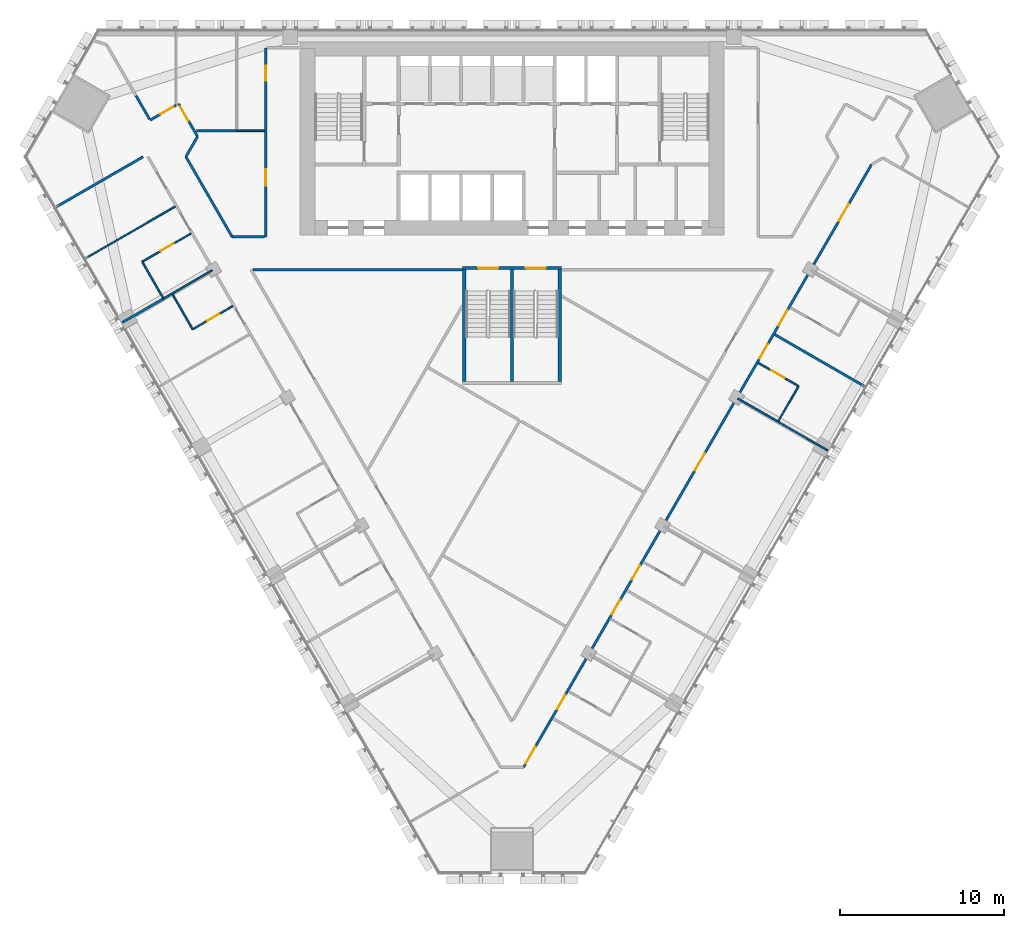
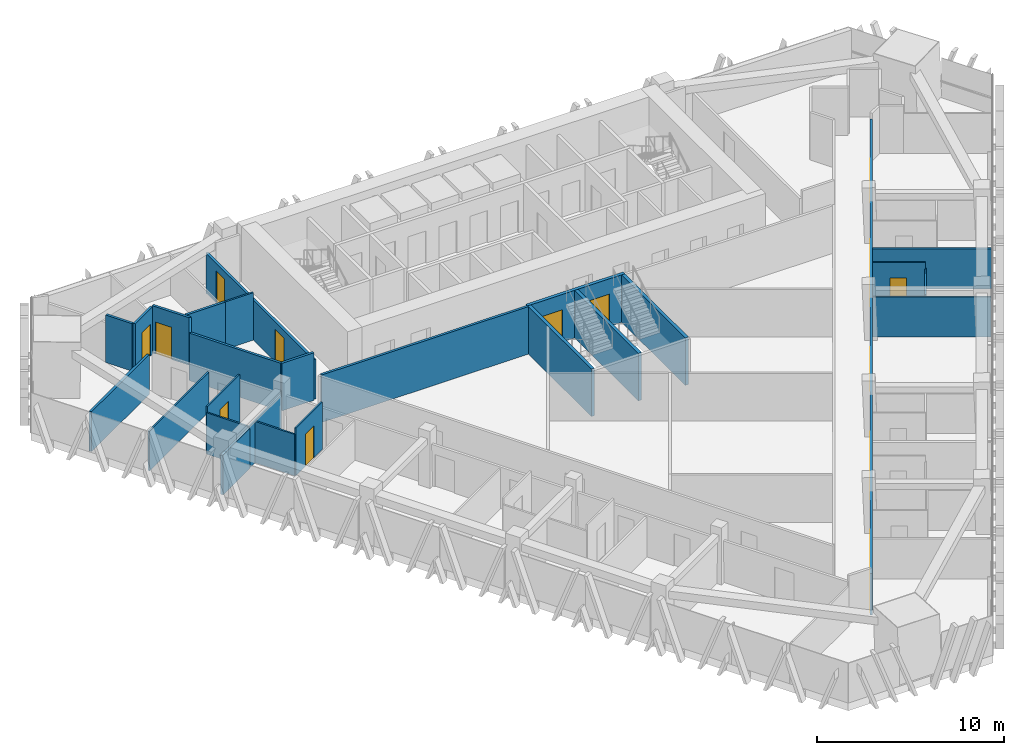
# One storey, part 10 of 16: 27 walls, 17 doors, 17 openings.
"""IFC4 building model written with IfcOpenShell, lengths in metres."""

from ifc_helpers import new_model, si_unit, direction, frame, frame_2d, origin, place, context, subcontext, project, spatial, rectangle, extrude, material, layer, layer_set, type_object, element, fill, save


model = new_model("IFC4")

# Units and contexts
model_context = context("Model", 3, precision=1e-05, world=origin(), true_north=direction((0.0, 1.0)))
body_context = subcontext(model_context, "Body", "Model", "MODEL_VIEW")
ifc_project = project(units=[si_unit("LENGTHUNIT", "METRE"), si_unit("AREAUNIT", "SQUARE_METRE"), si_unit("VOLUMEUNIT", "CUBIC_METRE"), si_unit("PLANEANGLEUNIT", "RADIAN"), si_unit("MASSUNIT", "GRAM", prefix="KILO")], contexts=[model_context])

# Site, building, storey
site_placement = place(None, origin())
site = spatial("IfcSite", under=ifc_project, at=site_placement, CompositionType="ELEMENT")
building_placement = place(site_placement, origin())
building = spatial("IfcBuilding", under=site, at=building_placement, Name="Altiplano Prism Tower", CompositionType="ELEMENT")
storey_placement = place(building_placement, frame((0.0, 0.0, 77.39990234375)))
storey = spatial("IfcBuildingStorey", under=building, at=storey_placement, Name="L19", CompositionType="ELEMENT", Elevation=77.39990234375)

# Wall
ifc_material_1 = material(Name="Plasterboard on steel stud", Category="steel")
ifc_layer_1 = layer(ifc_material_1, 0.10009765625)
ifc_layer_set_1 = layer_set([ifc_layer_1], Name="Plasterboard on steel stud")
wall_type_1 = type_object("IfcWallType", Name="Partition 100 unit", PredefinedType="PARTITIONING", material=ifc_layer_set_1)
wall_1_placement = place(storey_placement, frame((63.743896484375, 88.696044921875, 0.0), z_axis=(0.0, 0.0, 1.0), x_axis=(-0.50001820224, 0.866014894461, 0.0)))
element("IfcWall", 1, at=wall_1_placement, inside=storey, type_object=wall_type_1, Name="Partition P02 L19 040", PredefinedType="PARTITIONING", context=body_context, shape_type="SweptSolid", body=[
    extrude(rectangle(XDim=2.52490234375, YDim=0.10009765625, at=frame_2d((1.262451171875, 0.0))), origin(), (0.0, 0.0, 1.0), 2.7001953125),
])

# Wall, opening, door
wall_2_placement = place(storey_placement, frame((62.4814453125, 90.882568359375, 0.0), z_axis=(0.0, 0.0, 1.0), x_axis=(0.866001587311, 0.500041249073, 0.0)))
wall_2 = element("IfcWall", 2, at=wall_2_placement, inside=storey, type_object=wall_type_1, Name="Partition P02 L19 041", PredefinedType="PARTITIONING", context=body_context, shape_type="SweptSolid", body=[
    extrude(rectangle(XDim=3.425048828125, YDim=0.10009765625, at=frame_2d((1.71240234375, 0.0))), origin(), (0.0, 0.0, 1.0), 3.10009765625),
])
opening_1_placement = place(wall_2_placement, frame((1.297119140625, 0.0, 0.0)))
opening_1 = element("IfcOpeningElement", 3, at=opening_1_placement, cuts=wall_2, Name="Opening D0724", PredefinedType="OPENING", context=body_context, shape_type="SweptSolid", body=[
    extrude(rectangle(XDim=0.89990234375, YDim=2.10009765625, at=frame_2d((0.449951171875, 1.050048828125))), frame((0.0, 0.060546875, 0.0), z_axis=(0.0, -1.0, 0.0), x_axis=(1.0, 0.0, 0.0)), (0.0, 0.0, 1.0), 0.12109375),
])
ifc_material_2 = material(Name="Timber", Category="wood")
door_type_1 = type_object("IfcDoorType", Name="Accessible ensuite door 900 x 2100", OperationType="NOTDEFINED", PredefinedType="NOTDEFINED", material=ifc_material_2)
door_1_placement = place(opening_1_placement, origin())
door_1 = element("IfcDoor", 4, at=door_1_placement, inside=storey, type_object=door_type_1, Name="Door D0724", OperationType="SINGLE_SWING_RIGHT", OverallHeight=2.10009765625, OverallWidth=0.89990234375, PredefinedType="NOTDEFINED", context=body_context, shape_type="SweptSolid", body=[
    extrude(rectangle(XDim=0.89990234375, YDim=2.10009765625, at=frame_2d((0.449951171875, 1.050048828125))), frame((0.0, 0.02490234375, 0.0), z_axis=(0.0, -1.0, 0.0), x_axis=(1.0, 0.0, 0.0)), (0.0, 0.0, 1.0), 0.050048828125),
])
fill(opening_1, door_1)

wall_3_placement = place(storey_placement, frame((67.99755859375, 88.178466796875, 0.0), z_axis=(0.0, 0.0, 1.0), x_axis=(-0.866011447264, -0.500024172624, 0.0)))
wall_3 = element("IfcWall", 5, at=wall_3_placement, inside=storey, type_object=wall_type_1, Name="Partition P02 L19 044", PredefinedType="PARTITIONING", context=body_context, shape_type="SweptSolid", body=[
    extrude(rectangle(XDim=2.824951171875, YDim=0.10009765625, at=frame_2d((1.41259765625, 0.0))), origin(), (0.0, 0.0, 1.0), 3.10009765625),
])
opening_2_placement = place(wall_3_placement, frame((0.923095703125, 0.0, 0.0)))
opening_2 = element("IfcOpeningElement", 6, at=opening_2_placement, cuts=wall_3, Name="Opening D0726", PredefinedType="OPENING", context=body_context, shape_type="SweptSolid", body=[
    extrude(rectangle(XDim=0.89990234375, YDim=2.10009765625, at=frame_2d((0.449951171875, 1.050048828125))), frame((0.0, 0.060546875, 0.0), z_axis=(0.0, -1.0, 0.0), x_axis=(1.0, 0.0, 0.0)), (0.0, 0.0, 1.0), 0.12109375),
])
door_type_2 = type_object("IfcDoorType", Name="Ensuite door 900 x 2100", OperationType="NOTDEFINED", PredefinedType="NOTDEFINED", material=ifc_material_2)
door_2_placement = place(opening_2_placement, origin())
door_2 = element("IfcDoor", 7, at=door_2_placement, inside=storey, type_object=door_type_2, Name="Door D0726", OperationType="SINGLE_SWING_LEFT", OverallHeight=2.10009765625, OverallWidth=0.89990234375, PredefinedType="NOTDEFINED", context=body_context, shape_type="SweptSolid", body=[
    extrude(rectangle(XDim=0.89990234375, YDim=2.10009765625, at=frame_2d((0.449951171875, 1.050048828125))), frame((0.0, 0.02490234375, 0.0), z_axis=(0.0, -1.0, 0.0), x_axis=(1.0, 0.0, 0.0)), (0.0, 0.0, 1.0), 0.050048828125),
])
fill(opening_2, door_2)

# Wall
wall_4_placement = place(storey_placement, frame((65.551025390625, 86.765869140625, 0.0), z_axis=(0.0, 0.0, 1.0), x_axis=(-0.499980840684, 0.866036465138, 0.0)))
element("IfcWall", 8, at=wall_4_placement, inside=storey, type_object=wall_type_1, Name="Partition P02 L19 045", PredefinedType="PARTITIONING", context=body_context, shape_type="SweptSolid", body=[
    extrude(rectangle(XDim=2.45361328125, YDim=0.10009765625, at=frame_2d((1.226806640625, 0.0))), origin(), (0.0, 0.0, 1.0), 2.7001953125),
])

# Wall, opening, door
wall_5_placement = place(storey_placement, frame((100.00244140625, 84.71435546875, 0.0), z_axis=(0.0, 0.0, 1.0), x_axis=(0.866011447264, -0.500024172624, 0.0)))
wall_5 = element("IfcWall", 9, at=wall_5_placement, inside=storey, type_object=wall_type_1, Name="Partition P02 L19 069", PredefinedType="PARTITIONING", context=body_context, shape_type="SweptSolid", body=[
    extrude(rectangle(XDim=2.824951171875, YDim=0.10009765625, at=frame_2d((1.41259765625, 0.0))), origin(), (0.0, 0.0, 1.0), 3.10009765625),
])
opening_3_placement = place(wall_5_placement, frame((0.925048828125, 0.0, 0.0)))
opening_3 = element("IfcOpeningElement", 10, at=opening_3_placement, cuts=wall_5, Name="Opening D0743", PredefinedType="OPENING", context=body_context, shape_type="SweptSolid", body=[
    extrude(rectangle(XDim=0.89990234375, YDim=2.10009765625, at=frame_2d((0.449951171875, 1.050048828125))), frame((0.0, 0.060546875, 0.0), z_axis=(0.0, -1.0, 0.0), x_axis=(1.0, 0.0, 0.0)), (0.0, 0.0, 1.0), 0.12109375),
])
door_3_placement = place(opening_3_placement, origin())
door_3 = element("IfcDoor", 11, at=door_3_placement, inside=storey, type_object=door_type_2, Name="Door D0743", OperationType="SINGLE_SWING_LEFT", OverallHeight=2.10009765625, OverallWidth=0.89990234375, PredefinedType="NOTDEFINED", context=body_context, shape_type="SweptSolid", body=[
    extrude(rectangle(XDim=0.89990234375, YDim=2.10009765625, at=frame_2d((0.449951171875, 1.050048828125))), frame((0.0, 0.02490234375, 0.0), z_axis=(0.0, -1.0, 0.0), x_axis=(1.0, 0.0, 0.0)), (0.0, 0.0, 1.0), 0.050048828125),
])
fill(opening_3, door_3)

# Walls
wall_6_placement = place(storey_placement, frame((102.448974609375, 83.3017578125, 0.0), z_axis=(0.0, 0.0, 1.0), x_axis=(-0.500061746146, -0.865989751695, 0.0)))
element("IfcWall", 12, at=wall_6_placement, inside=storey, type_object=wall_type_1, Name="Partition P02 L19 070", PredefinedType="PARTITIONING", context=body_context, shape_type="SweptSolid", body=[
    extrude(rectangle(XDim=2.449951171875, YDim=0.10009765625, at=frame_2d((1.22509765625, 0.0))), origin(), (0.0, 0.0, 1.0), 2.7001953125),
])
ifc_layer_2 = layer(ifc_material_1, 0.10009765625)
ifc_layer_set_2 = layer_set([ifc_layer_2], Name="Plasterboard on steel stud")
wall_type_2 = type_object("IfcWallType", Name="Partition 100 wet", PredefinedType="PARTITIONING", material=ifc_layer_set_2)
wall_7_placement = place(storey_placement, frame((68.215087890625, 98.85546875, 0.0), z_axis=(0.0, 0.0, 1.0), x_axis=(1.0, 0.0, 0.0)))
element("IfcWall", 13, at=wall_7_placement, inside=storey, type_object=wall_type_2, Name="Partition P03 L19 033", PredefinedType="PARTITIONING", context=body_context, shape_type="SweptSolid", body=[
    extrude(rectangle(XDim=1.7099609375, YDim=0.10009765625, at=frame_2d((0.85498046875, 0.0))), origin(), (0.0, 0.0, 1.0), 3.10009765625),
])
wall_8_placement = place(storey_placement, frame((59.00244140625, 91.068115234375, 0.0), z_axis=(0.0, 0.0, 1.0), x_axis=(0.866025401434, 0.500000004071, 0.0)))
element("IfcWall", 14, at=wall_8_placement, inside=storey, type_object=wall_type_2, Name="Partition P03 L19 039", PredefinedType="PARTITIONING", context=body_context, shape_type="SweptSolid", body=[
    extrude(rectangle(XDim=6.34521484375, YDim=0.10009765625, at=frame_2d((3.172607421875, 0.0))), origin(), (0.0, 0.0, 1.0), 2.60009765625),
])
wall_9_placement = place(storey_placement, frame((63.76416015625, 88.62109375, 0.0), z_axis=(0.0, 0.0, 1.0), x_axis=(0.862916476412, 0.505346568938, 0.0)))
element("IfcWall", 15, at=wall_9_placement, inside=storey, type_object=wall_type_2, Name="Partition P03 L19 043", PredefinedType="PARTITIONING", context=body_context, shape_type="SweptSolid", body=[
    extrude(rectangle(XDim=3.444580078125, YDim=0.10009765625, at=frame_2d((1.72216796875, 0.0))), origin(), (0.0, 0.0, 1.0), 2.7001953125),
])
wall_10_placement = place(storey_placement, frame((104.22998046875, 79.38671875, 0.0), z_axis=(0.0, 0.0, 1.0), x_axis=(-0.866015887322, 0.500016482634, 0.0)))
element("IfcWall", 16, at=wall_10_placement, inside=storey, type_object=wall_type_2, Name="Partition P03 L19 068", PredefinedType="PARTITIONING", context=body_context, shape_type="SweptSolid", body=[
    extrude(rectangle(XDim=6.324951171875, YDim=0.10009765625, at=frame_2d((3.16259765625, 0.0))), origin(), (0.0, 0.0, 1.0), 2.60009765625),
])

# Wall, opening, door
ifc_layer_3 = layer(ifc_material_1, 0.14990234375)
ifc_layer_set_3 = layer_set([ifc_layer_3], Name="Plasterboard on steel stud")
wall_type_3 = type_object("IfcWallType", Name="Partition 150 corridor", PredefinedType="PARTITIONING", material=ifc_layer_set_3)
wall_11_placement = place(storey_placement, frame((64.5478515625, 100.415283203125, 0.0), z_axis=(0.0, 0.0, 1.0), x_axis=(-0.865742965541, -0.500488878614, 0.0)))
wall_11 = element("IfcWall", 17, at=wall_11_placement, inside=storey, type_object=wall_type_3, Name="Partition P06 L19 003", PredefinedType="PARTITIONING", context=body_context, shape_type="SweptSolid", body=[
    extrude(rectangle(XDim=1.828857421875, YDim=0.14990234375, at=frame_2d((0.91455078125, 0.0))), origin(), (0.0, 0.0, 1.0), 3.10009765625),
])
opening_4_placement = place(wall_11_placement, frame((0.199951171875, 0.0, 0.0)))
opening_4 = element("IfcOpeningElement", 18, at=opening_4_placement, cuts=wall_11, Name="Opening D0719", PredefinedType="OPENING", context=body_context, shape_type="SweptSolid", body=[
    extrude(rectangle(XDim=0.89990234375, YDim=2.10009765625, at=frame_2d((0.449951171875, 1.050048828125))), frame((0.0, 0.08544921875, 0.0), z_axis=(0.0, -1.0, 0.0), x_axis=(1.0, 0.0, 0.0)), (0.0, 0.0, 1.0), 0.1708984375),
])
door_type_3 = type_object("IfcDoorType", Name="Toilet door 900 x 2100", OperationType="NOTDEFINED", PredefinedType="NOTDEFINED", material=ifc_material_2)
door_4_placement = place(opening_4_placement, origin())
door_4 = element("IfcDoor", 19, at=door_4_placement, inside=storey, type_object=door_type_3, Name="Door D0719", OperationType="SINGLE_SWING_RIGHT", OverallHeight=2.10009765625, OverallWidth=0.89990234375, PredefinedType="NOTDEFINED", context=body_context, shape_type="SweptSolid", body=[
    extrude(rectangle(XDim=0.89990234375, YDim=2.10009765625, at=frame_2d((0.449951171875, 1.050048828125))), frame((0.0, 0.02490234375, 0.0), z_axis=(0.0, -1.0, 0.0), x_axis=(1.0, 0.0, 0.0)), (0.0, 0.0, 1.0), 0.050048828125),
])
fill(opening_4, door_4)

# Wall
wall_12_placement = place(storey_placement, frame((62.927001953125, 99.56494140625, 0.0), z_axis=(0.0, 0.0, 1.0), x_axis=(-0.50001794124, 0.866015045157, 0.0)))
element("IfcWall", 20, at=wall_12_placement, inside=storey, type_object=wall_type_3, Name="Partition P06 L19 004", PredefinedType="PARTITIONING", context=body_context, shape_type="SweptSolid", body=[
    extrude(rectangle(XDim=1.64501953125, YDim=0.14990234375, at=frame_2d((0.822509765625, 0.0))), origin(), (0.0, 0.0, 1.0), 3.10009765625),
])

# Wall, opening, door
wall_13_placement = place(storey_placement, frame((65.851318359375, 98.5, 0.0), z_axis=(0.0, 0.0, 1.0), x_axis=(-0.500027479704, 0.866009537788, 0.0)))
wall_13 = element("IfcWall", 21, at=wall_13_placement, inside=storey, type_object=wall_type_3, Name="Partition P06 L19 005", PredefinedType="PARTITIONING", context=body_context, shape_type="SweptSolid", body=[
    extrude(rectangle(XDim=2.309326171875, YDim=0.14990234375, at=frame_2d((1.15478515625, 0.0))), origin(), (0.0, 0.0, 1.0), 3.10009765625),
])
opening_5_placement = place(wall_13_placement, frame((1.10888671875, 0.0, 0.0)))
opening_5 = element("IfcOpeningElement", 22, at=opening_5_placement, cuts=wall_13, Name="Opening D0720", PredefinedType="OPENING", context=body_context, shape_type="SweptSolid", body=[
    extrude(rectangle(XDim=1.0, YDim=2.10009765625, at=frame_2d((0.5, 1.050048828125))), frame((0.0, 0.08544921875, 0.0), z_axis=(0.0, -1.0, 0.0), x_axis=(1.0, 0.0, 0.0)), (0.0, 0.0, 1.0), 0.1708984375),
])
door_type_4 = type_object("IfcDoorType", Name="Store door 1000 x 2100", OperationType="NOTDEFINED", PredefinedType="NOTDEFINED", material=ifc_material_2)
door_5_placement = place(opening_5_placement, origin())
door_5 = element("IfcDoor", 23, at=door_5_placement, inside=storey, type_object=door_type_4, Name="Door D0720", OperationType="SINGLE_SWING_LEFT", OverallHeight=2.10009765625, OverallWidth=1.0, PredefinedType="NOTDEFINED", context=body_context, shape_type="SweptSolid", body=[
    extrude(rectangle(XDim=1.0, YDim=2.10009765625, at=frame_2d((0.5, 1.050048828125))), frame((0.0, 0.02490234375, 0.0), z_axis=(0.0, -1.0, 0.0), x_axis=(1.0, 0.0, 0.0)), (0.0, 0.0, 1.0), 0.050048828125),
])
fill(opening_5, door_5)

# Wall, openings, doors
wall_14_placement = place(storey_placement, frame((70.0, 103.89990234375, 0.0), z_axis=(0.0, 0.0, 1.0), x_axis=(0.0, -1.0, 0.0)))
wall_14 = element("IfcWall", 24, at=wall_14_placement, inside=storey, type_object=wall_type_3, Name="Partition P06 L19 006", PredefinedType="PARTITIONING", context=body_context, shape_type="SweptSolid", body=[
    extrude(rectangle(XDim=11.5, YDim=0.14990234375, at=frame_2d((5.75, 0.0))), origin(), (0.0, 0.0, 1.0), 2.60009765625),
])
opening_6_placement = place(wall_14_placement, frame((1.096923828125, 0.0, 0.0)))
opening_6 = element("IfcOpeningElement", 25, at=opening_6_placement, cuts=wall_14, Name="Opening D0718", PredefinedType="OPENING", context=body_context, shape_type="SweptSolid", body=[
    extrude(rectangle(XDim=0.89990234375, YDim=2.10009765625, at=frame_2d((0.449951171875, 1.050048828125))), frame((0.0, 0.08544921875, 0.0), z_axis=(0.0, -1.0, 0.0), x_axis=(1.0, 0.0, 0.0)), (0.0, 0.0, 1.0), 0.1708984375),
])
opening_7_placement = place(wall_14_placement, frame((7.384033203125, 0.0, 0.0)))
opening_7 = element("IfcOpeningElement", 26, at=opening_7_placement, cuts=wall_14, Name="Opening D0721", PredefinedType="OPENING", context=body_context, shape_type="SweptSolid", body=[
    extrude(rectangle(XDim=1.0, YDim=2.10009765625, at=frame_2d((0.5, 1.050048828125))), frame((0.0, 0.08544921875, 0.0), z_axis=(0.0, -1.0, 0.0), x_axis=(1.0, 0.0, 0.0)), (0.0, 0.0, 1.0), 0.1708984375),
])
door_6_placement = place(opening_7_placement, origin())
door_6 = element("IfcDoor", 27, at=door_6_placement, inside=storey, type_object=door_type_4, Name="Door D0721", OperationType="SINGLE_SWING_RIGHT", OverallHeight=2.10009765625, OverallWidth=1.0, PredefinedType="NOTDEFINED", context=body_context, shape_type="SweptSolid", body=[
    extrude(rectangle(XDim=1.0, YDim=2.10009765625, at=frame_2d((0.5, 1.050048828125))), frame((0.0, 0.02490234375, 0.0), z_axis=(0.0, -1.0, 0.0), x_axis=(1.0, 0.0, 0.0)), (0.0, 0.0, 1.0), 0.050048828125),
])
fill(opening_7, door_6)
door_7_placement = place(opening_6_placement, origin())
door_7 = element("IfcDoor", 28, at=door_7_placement, inside=storey, type_object=door_type_3, Name="Door D0718", OperationType="SINGLE_SWING_LEFT", OverallHeight=2.10009765625, OverallWidth=0.89990234375, PredefinedType="NOTDEFINED", context=body_context, shape_type="SweptSolid", body=[
    extrude(rectangle(XDim=0.89990234375, YDim=2.10009765625, at=frame_2d((0.449951171875, 1.050048828125))), frame((0.0, 0.02490234375, 0.0), z_axis=(0.0, -1.0, 0.0), x_axis=(1.0, 0.0, 0.0)), (0.0, 0.0, 1.0), 0.050048828125),
])
fill(opening_6, door_7)

# Walls
wall_15_placement = place(storey_placement, frame((69.925048828125, 92.39990234375, 0.0), z_axis=(0.0, 0.0, 1.0), x_axis=(-1.0, 0.0, 0.0)))
element("IfcWall", 29, at=wall_15_placement, inside=storey, type_object=wall_type_3, Name="Partition P06 L19 007", PredefinedType="PARTITIONING", context=body_context, shape_type="SweptSolid", body=[
    extrude(rectangle(XDim=1.96875, YDim=0.14990234375, at=frame_2d((0.984375, 0.0))), origin(), (0.0, 0.0, 1.0), 3.10009765625),
])
wall_16_placement = place(storey_placement, frame((67.956298828125, 92.39990234375, 0.0), z_axis=(0.0, 0.0, 1.0), x_axis=(-0.500002884005, 0.866023738697, 0.0)))
element("IfcWall", 30, at=wall_16_placement, inside=storey, type_object=wall_type_3, Name="Partition P06 L19 008", PredefinedType="PARTITIONING", context=body_context, shape_type="SweptSolid", body=[
    extrude(rectangle(XDim=5.626953125, YDim=0.14990234375, at=frame_2d((2.8134765625, 0.0))), origin(), (0.0, 0.0, 1.0), 3.10009765625),
])
wall_17_placement = place(storey_placement, frame((65.142822265625, 97.27294921875, 0.0), z_axis=(0.0, 0.0, 1.0), x_axis=(0.500030697692, 0.866007679738, 0.0)))
element("IfcWall", 31, at=wall_17_placement, inside=storey, type_object=wall_type_3, Name="Partition P06 L19 009", PredefinedType="PARTITIONING", context=body_context, shape_type="SweptSolid", body=[
    extrude(rectangle(XDim=1.4169921875, YDim=0.14990234375, at=frame_2d((0.70849609375, 0.0))), origin(), (0.0, 0.0, 1.0), 3.10009765625),
])

# Wall, openings, doors
wall_18_placement = place(storey_placement, frame((85.70849609375, 60.1064453125, 0.0), z_axis=(0.0, 0.0, 1.0), x_axis=(0.500000789788, 0.8660249478, 0.0)))
wall_18 = element("IfcWall", 32, at=wall_18_placement, inside=storey, type_object=wall_type_3, Name="Partition P06 L19 012", PredefinedType="PARTITIONING", context=body_context, shape_type="SweptSolid", body=[
    extrude(rectangle(XDim=42.36767578125, YDim=0.14990234375, at=frame_2d((21.183837890625, 0.0))), origin(), (0.0, 0.0, 1.0), 2.7001953125),
])
opening_8_placement = place(wall_18_placement, frame((0.23291015625, 0.0, 0.0)))
opening_8 = element("IfcOpeningElement", 33, at=opening_8_placement, cuts=wall_18, Name="Opening D0734", PredefinedType="OPENING", context=body_context, shape_type="SweptSolid", body=[
    extrude(rectangle(XDim=1.199951171875, YDim=2.10009765625, at=frame_2d((0.60009765625, 1.050048828125))), frame((0.0, 0.08544921875, 0.0), z_axis=(0.0, -1.0, 0.0), x_axis=(1.0, 0.0, 0.0)), (0.0, 0.0, 1.0), 0.1708984375),
])
opening_9_placement = place(wall_18_placement, frame((4.06298828125, 0.0, 0.0)))
opening_9 = element("IfcOpeningElement", 34, at=opening_9_placement, cuts=wall_18, Name="Opening D0735", PredefinedType="OPENING", context=body_context, shape_type="SweptSolid", body=[
    extrude(rectangle(XDim=1.0, YDim=2.10009765625, at=frame_2d((0.5, 1.050048828125))), frame((0.0, 0.08544921875, 0.0), z_axis=(0.0, -1.0, 0.0), x_axis=(1.0, 0.0, 0.0)), (0.0, 0.0, 1.0), 0.1708984375),
])
opening_10_placement = place(wall_18_placement, frame((10.738037109375, 0.0, 0.0)))
opening_10 = element("IfcOpeningElement", 35, at=opening_10_placement, cuts=wall_18, Name="Opening D0737", PredefinedType="OPENING", context=body_context, shape_type="SweptSolid", body=[
    extrude(rectangle(XDim=1.0, YDim=2.10009765625, at=frame_2d((0.5, 1.050048828125))), frame((0.0, 0.08544921875, 0.0), z_axis=(0.0, -1.0, 0.0), x_axis=(1.0, 0.0, 0.0)), (0.0, 0.0, 1.0), 0.1708984375),
])
opening_11_placement = place(wall_18_placement, frame((13.178955078125, 0.0, 0.0)))
opening_11 = element("IfcOpeningElement", 36, at=opening_11_placement, cuts=wall_18, Name="Opening D0739", PredefinedType="OPENING", context=body_context, shape_type="SweptSolid", body=[
    extrude(rectangle(XDim=1.0, YDim=2.10009765625, at=frame_2d((0.5, 1.050048828125))), frame((0.0, 0.08544921875, 0.0), z_axis=(0.0, -1.0, 0.0), x_axis=(1.0, 0.0, 0.0)), (0.0, 0.0, 1.0), 0.1708984375),
])
opening_12_placement = place(wall_18_placement, frame((20.85791015625, 0.0, 0.0)))
opening_12 = element("IfcOpeningElement", 37, at=opening_12_placement, cuts=wall_18, Name="Opening D0741", PredefinedType="OPENING", context=body_context, shape_type="SweptSolid", body=[
    extrude(rectangle(XDim=1.199951171875, YDim=2.10009765625, at=frame_2d((0.60009765625, 1.050048828125))), frame((0.0, 0.08544921875, 0.0), z_axis=(0.0, -1.0, 0.0), x_axis=(1.0, 0.0, 0.0)), (0.0, 0.0, 1.0), 0.1708984375),
])
opening_13_placement = place(wall_18_placement, frame((28.738037109375, 0.0, 0.0)))
opening_13 = element("IfcOpeningElement", 38, at=opening_13_placement, cuts=wall_18, Name="Opening D0742", PredefinedType="OPENING", context=body_context, shape_type="SweptSolid", body=[
    extrude(rectangle(XDim=1.0, YDim=2.10009765625, at=frame_2d((0.5, 1.050048828125))), frame((0.0, 0.08544921875, 0.0), z_axis=(0.0, -1.0, 0.0), x_axis=(1.0, 0.0, 0.0)), (0.0, 0.0, 1.0), 0.1708984375),
])
opening_14_placement = place(wall_18_placement, frame((31.029052734375, 0.0, 0.0)))
opening_14 = element("IfcOpeningElement", 39, at=opening_14_placement, cuts=wall_18, Name="Opening D0744", PredefinedType="OPENING", context=body_context, shape_type="SweptSolid", body=[
    extrude(rectangle(XDim=1.10009765625, YDim=2.10009765625, at=frame_2d((0.550048828125, 1.050048828125))), frame((0.0, 0.08544921875, 0.0), z_axis=(0.0, -1.0, 0.0), x_axis=(1.0, 0.0, 0.0)), (0.0, 0.0, 1.0), 0.1708984375),
])
opening_15_placement = place(wall_18_placement, frame((38.40087890625, 0.0, 0.0)))
opening_15 = element("IfcOpeningElement", 40, at=opening_15_placement, cuts=wall_18, Name="Opening D0746", PredefinedType="OPENING", context=body_context, shape_type="SweptSolid", body=[
    extrude(rectangle(XDim=1.199951171875, YDim=2.10009765625, at=frame_2d((0.60009765625, 1.050048828125))), frame((0.0, 0.08544921875, 0.0), z_axis=(0.0, -1.0, 0.0), x_axis=(1.0, 0.0, 0.0)), (0.0, 0.0, 1.0), 0.1708984375),
])
door_type_5 = type_object("IfcDoorType", Name="Accessible bedroom door 1100 x 2100", OperationType="NOTDEFINED", PredefinedType="NOTDEFINED", material=ifc_material_2)
door_8_placement = place(opening_14_placement, origin())
door_8 = element("IfcDoor", 41, at=door_8_placement, inside=storey, type_object=door_type_5, Name="Door D0744", OperationType="SINGLE_SWING_LEFT", OverallHeight=2.10009765625, OverallWidth=1.10009765625, PredefinedType="NOTDEFINED", context=body_context, shape_type="SweptSolid", body=[
    extrude(rectangle(XDim=1.10009765625, YDim=2.10009765625, at=frame_2d((0.550048828125, 1.050048828125))), frame((0.0, 0.02490234375, 0.0), z_axis=(0.0, -1.0, 0.0), x_axis=(1.0, 0.0, 0.0)), (0.0, 0.0, 1.0), 0.050048828125),
])
fill(opening_14, door_8)
door_type_6 = type_object("IfcDoorType", Name="Bedroom entrance door 1000 x 2100", OperationType="NOTDEFINED", PredefinedType="NOTDEFINED", material=ifc_material_2)
door_9_placement = place(opening_9_placement, origin())
door_9 = element("IfcDoor", 42, at=door_9_placement, inside=storey, type_object=door_type_6, Name="Door D0735", OperationType="SINGLE_SWING_RIGHT", OverallHeight=2.10009765625, OverallWidth=1.0, PredefinedType="NOTDEFINED", context=body_context, shape_type="SweptSolid", body=[
    extrude(rectangle(XDim=1.0, YDim=2.10009765625, at=frame_2d((0.5, 1.050048828125))), frame((0.0, 0.02490234375, 0.0), z_axis=(0.0, -1.0, 0.0), x_axis=(1.0, 0.0, 0.0)), (0.0, 0.0, 1.0), 0.050048828125),
])
fill(opening_9, door_9)
door_10_placement = place(opening_10_placement, origin())
door_10 = element("IfcDoor", 43, at=door_10_placement, inside=storey, type_object=door_type_6, Name="Door D0737", OperationType="SINGLE_SWING_LEFT", OverallHeight=2.10009765625, OverallWidth=1.0, PredefinedType="NOTDEFINED", context=body_context, shape_type="SweptSolid", body=[
    extrude(rectangle(XDim=1.0, YDim=2.10009765625, at=frame_2d((0.5, 1.050048828125))), frame((0.0, 0.02490234375, 0.0), z_axis=(0.0, -1.0, 0.0), x_axis=(1.0, 0.0, 0.0)), (0.0, 0.0, 1.0), 0.050048828125),
])
fill(opening_10, door_10)
door_11_placement = place(opening_11_placement, origin())
door_11 = element("IfcDoor", 44, at=door_11_placement, inside=storey, type_object=door_type_6, Name="Door D0739", OperationType="SINGLE_SWING_RIGHT", OverallHeight=2.10009765625, OverallWidth=1.0, PredefinedType="NOTDEFINED", context=body_context, shape_type="SweptSolid", body=[
    extrude(rectangle(XDim=1.0, YDim=2.10009765625, at=frame_2d((0.5, 1.050048828125))), frame((0.0, 0.02490234375, 0.0), z_axis=(0.0, -1.0, 0.0), x_axis=(1.0, 0.0, 0.0)), (0.0, 0.0, 1.0), 0.050048828125),
])
fill(opening_11, door_11)
door_12_placement = place(opening_13_placement, origin())
door_12 = element("IfcDoor", 45, at=door_12_placement, inside=storey, type_object=door_type_6, Name="Door D0742", OperationType="SINGLE_SWING_RIGHT", OverallHeight=2.10009765625, OverallWidth=1.0, PredefinedType="NOTDEFINED", context=body_context, shape_type="SweptSolid", body=[
    extrude(rectangle(XDim=1.0, YDim=2.10009765625, at=frame_2d((0.5, 1.050048828125))), frame((0.0, 0.02490234375, 0.0), z_axis=(0.0, -1.0, 0.0), x_axis=(1.0, 0.0, 0.0)), (0.0, 0.0, 1.0), 0.050048828125),
])
fill(opening_13, door_12)
door_type_7 = type_object("IfcDoorType", Name="Shared room door 1200 x 2100", OperationType="NOTDEFINED", PredefinedType="NOTDEFINED", material=ifc_material_2)
door_13_placement = place(opening_8_placement, origin())
door_13 = element("IfcDoor", 46, at=door_13_placement, inside=storey, type_object=door_type_7, Name="Door D0734", OperationType="SINGLE_SWING_LEFT", OverallHeight=2.10009765625, OverallWidth=1.199951171875, PredefinedType="NOTDEFINED", context=body_context, shape_type="SweptSolid", body=[
    extrude(rectangle(XDim=1.199951171875, YDim=2.10009765625, at=frame_2d((0.60009765625, 1.050048828125))), frame((0.0, 0.02490234375, 0.0), z_axis=(0.0, -1.0, 0.0), x_axis=(1.0, 0.0, 0.0)), (0.0, 0.0, 1.0), 0.050048828125),
])
fill(opening_8, door_13)
door_14_placement = place(opening_12_placement, origin())
door_14 = element("IfcDoor", 47, at=door_14_placement, inside=storey, type_object=door_type_7, Name="Door D0741", OperationType="SINGLE_SWING_RIGHT", OverallHeight=2.10009765625, OverallWidth=1.199951171875, PredefinedType="NOTDEFINED", context=body_context, shape_type="SweptSolid", body=[
    extrude(rectangle(XDim=1.199951171875, YDim=2.10009765625, at=frame_2d((0.60009765625, 1.050048828125))), frame((0.0, 0.02490234375, 0.0), z_axis=(0.0, -1.0, 0.0), x_axis=(1.0, 0.0, 0.0)), (0.0, 0.0, 1.0), 0.050048828125),
])
fill(opening_12, door_14)
door_15_placement = place(opening_15_placement, origin())
door_15 = element("IfcDoor", 48, at=door_15_placement, inside=storey, type_object=door_type_7, Name="Door D0746", OperationType="SINGLE_SWING_LEFT", OverallHeight=2.10009765625, OverallWidth=1.199951171875, PredefinedType="NOTDEFINED", context=body_context, shape_type="SweptSolid", body=[
    extrude(rectangle(XDim=1.199951171875, YDim=2.10009765625, at=frame_2d((0.60009765625, 1.050048828125))), frame((0.0, 0.02490234375, 0.0), z_axis=(0.0, -1.0, 0.0), x_axis=(1.0, 0.0, 0.0)), (0.0, 0.0, 1.0), 0.050048828125),
])
fill(opening_15, door_15)

# Walls
wall_19_placement = place(storey_placement, frame((69.24072265625, 90.39990234375, 0.0), z_axis=(0.0, 0.0, 1.0), x_axis=(1.0, 0.0, 0.0)))
element("IfcWall", 49, at=wall_19_placement, inside=storey, type_object=wall_type_3, Name="Partition P06 L19 016", PredefinedType="PARTITIONING", context=body_context, shape_type="SweptSolid", body=[
    extrude(rectangle(XDim=12.75927734375, YDim=0.14990234375, at=frame_2d((6.379638671875, 0.0))), origin(), (0.0, 0.0, 1.0), 3.10009765625),
])
wall_20_placement = place(storey_placement, frame((57.19970703125, 94.1904296875, 0.0), z_axis=(0.0, 0.0, 1.0), x_axis=(0.866026656188, 0.499997830767, 0.0)))
element("IfcWall", 50, at=wall_20_placement, inside=storey, type_object=wall_type_3, Name="Partition P06 L19 038", PredefinedType="PARTITIONING", context=body_context, shape_type="SweptSolid", body=[
    extrude(rectangle(XDim=6.1650390625, YDim=0.14990234375, at=frame_2d((3.08251953125, 0.0))), origin(), (0.0, 0.0, 1.0), 2.60009765625),
])
ifc_layer_4 = layer(ifc_material_1, 0.14990234375)
ifc_layer_set_4 = layer_set([ifc_layer_4], Name="Plasterboard on steel stud")
wall_type_4 = type_object("IfcWallType", Name="Partition 150 party", PredefinedType="PARTITIONING", material=ifc_layer_set_4)
wall_21_placement = place(storey_placement, frame((65.77587890625, 98.85546875, 0.0), z_axis=(0.0, 0.0, 1.0), x_axis=(1.0, 0.0, 0.0)))
element("IfcWall", 51, at=wall_21_placement, inside=storey, type_object=wall_type_4, Name="Partition P01 L19 037", PredefinedType="PARTITIONING", context=body_context, shape_type="SweptSolid", body=[
    extrude(rectangle(XDim=2.4091796875, YDim=0.14990234375, at=frame_2d((1.20458984375, 0.0))), origin(), (0.0, 0.0, 1.0), 3.10009765625),
])
wall_22_placement = place(storey_placement, frame((61.27001953125, 87.180908203125, 0.0), z_axis=(0.0, 0.0, 1.0), x_axis=(0.866011930837, 0.500023335103, 0.0)))
element("IfcWall", 52, at=wall_22_placement, inside=storey, type_object=wall_type_4, Name="Partition P01 L19 042", PredefinedType="PARTITIONING", context=body_context, shape_type="SweptSolid", body=[
    extrude(rectangle(XDim=2.879638671875, YDim=0.14990234375, at=frame_2d((1.43994140625, 0.0))), origin(), (0.0, 0.0, 1.0), 2.60009765625),
])
wall_23_placement = place(storey_placement, frame((106.49755859375, 83.273681640625, 0.0), z_axis=(0.0, 0.0, 1.0), x_axis=(-0.866025401434, 0.500000004071, 0.0)))
element("IfcWall", 53, at=wall_23_placement, inside=storey, type_object=wall_type_4, Name="Partition P01 L19 071", PredefinedType="PARTITIONING", context=body_context, shape_type="SweptSolid", body=[
    extrude(rectangle(XDim=6.34521484375, YDim=0.14990234375, at=frame_2d((3.172607421875, 0.0))), origin(), (0.0, 0.0, 1.0), 2.60009765625),
])

# Wall, openings, doors
ifc_material_3 = material(Name="Concrete C60/75", Category="concrete")
ifc_layer_5 = layer(ifc_material_3, 0.199951171875)
ifc_layer_set_5 = layer_set([ifc_layer_5], Name="Concrete C60/75")
wall_type_5 = type_object("IfcWallType", Name="Stair wall 200", PredefinedType="SOLIDWALL", material=ifc_layer_set_5)
wall_24_placement = place(storey_placement, frame((82.0, 90.5, 0.0), z_axis=(0.0, 0.0, 1.0), x_axis=(1.0, 0.0, 0.0)))
wall_24 = element("IfcWall", 54, at=wall_24_placement, inside=storey, type_object=wall_type_5, Name="Stair 3 wall north L19", PredefinedType="SOLIDWALL", context=body_context, shape_type="SweptSolid", body=[
    extrude(rectangle(XDim=6.0, YDim=0.199951171875, at=frame_2d((3.0, 0.0))), origin(), (0.0, 0.0, 1.0), 3.10009765625),
])
opening_16_placement = place(wall_24_placement, frame((0.949951171875, 0.0, 0.0)))
opening_16 = element("IfcOpeningElement", 55, at=opening_16_placement, cuts=wall_24, Name="Opening D3960", PredefinedType="OPENING", context=body_context, shape_type="SweptSolid", body=[
    extrude(rectangle(XDim=1.199951171875, YDim=2.10009765625, at=frame_2d((0.60009765625, 1.050048828125))), frame((0.0, 0.1103515625, 0.0), z_axis=(0.0, -1.0, 0.0), x_axis=(1.0, 0.0, 0.0)), (0.0, 0.0, 1.0), 0.220947265625),
])
opening_17_placement = place(wall_24_placement, frame((3.85009765625, 0.0, 0.0)))
opening_17 = element("IfcOpeningElement", 56, at=opening_17_placement, cuts=wall_24, Name="Opening D3961", PredefinedType="OPENING", context=body_context, shape_type="SweptSolid", body=[
    extrude(rectangle(XDim=1.199951171875, YDim=2.10009765625, at=frame_2d((0.60009765625, 1.050048828125))), frame((0.0, 0.1103515625, 0.0), z_axis=(0.0, -1.0, 0.0), x_axis=(1.0, 0.0, 0.0)), (0.0, 0.0, 1.0), 0.220947265625),
])
ifc_material_4 = material(Name="Fire-rated steel door", Category="steel")
door_type_8 = type_object("IfcDoorType", Name="Stair fire door 1200 x 2100", OperationType="NOTDEFINED", PredefinedType="NOTDEFINED", material=ifc_material_4)
door_16_placement = place(opening_16_placement, origin())
door_16 = element("IfcDoor", 57, at=door_16_placement, inside=storey, type_object=door_type_8, Name="Stair fire door D3960", OperationType="SINGLE_SWING_LEFT", OverallHeight=2.10009765625, OverallWidth=1.199951171875, PredefinedType="NOTDEFINED", context=body_context, shape_type="SweptSolid", body=[
    extrude(rectangle(XDim=1.199951171875, YDim=2.10009765625, at=frame_2d((0.60009765625, 1.050048828125))), frame((0.0, 0.02490234375, 0.0), z_axis=(0.0, -1.0, 0.0), x_axis=(1.0, 0.0, 0.0)), (0.0, 0.0, 1.0), 0.050048828125),
])
fill(opening_16, door_16)
door_17_placement = place(opening_17_placement, origin())
door_17 = element("IfcDoor", 58, at=door_17_placement, inside=storey, type_object=door_type_8, Name="Stair fire door D3961", OperationType="SINGLE_SWING_LEFT", OverallHeight=2.10009765625, OverallWidth=1.199951171875, PredefinedType="NOTDEFINED", context=body_context, shape_type="SweptSolid", body=[
    extrude(rectangle(XDim=1.199951171875, YDim=2.10009765625, at=frame_2d((0.60009765625, 1.050048828125))), frame((0.0, 0.02490234375, 0.0), z_axis=(0.0, -1.0, 0.0), x_axis=(1.0, 0.0, 0.0)), (0.0, 0.0, 1.0), 0.050048828125),
])
fill(opening_17, door_17)

# Walls
for number, where, z_axis, x_axis, name in (
    (59, (82.10009765625, 83.60009765625, 0.0), (0.0, 0.0, 1.0), (0.0, 1.0, 0.0), "Stair 3 wall west L19"),
    (60, (87.89990234375, 83.60009765625, 0.0), (0.0, 0.0, 1.0), (0.0, 1.0, 0.0), "Stair 3 wall east L19"),
    (61, (85.0, 83.60009765625, 0.0), (0.0, 0.0, 1.0), (0.0, 1.0, 0.0), "Stair 3 wall divider L19"),
):
    element("IfcWall", number, at=place(storey_placement, frame(where, z_axis=z_axis, x_axis=x_axis)), inside=storey, type_object=wall_type_5, Name=name, PredefinedType="SOLIDWALL", context=body_context, shape_type="SweptSolid", body=[
        extrude(rectangle(XDim=6.7998046875, YDim=0.199951171875, at=frame_2d((3.39990234375, 0.0))), origin(), (0.0, 0.0, 1.0), 3.10009765625),
    ])

save(model, "model.ifc")
